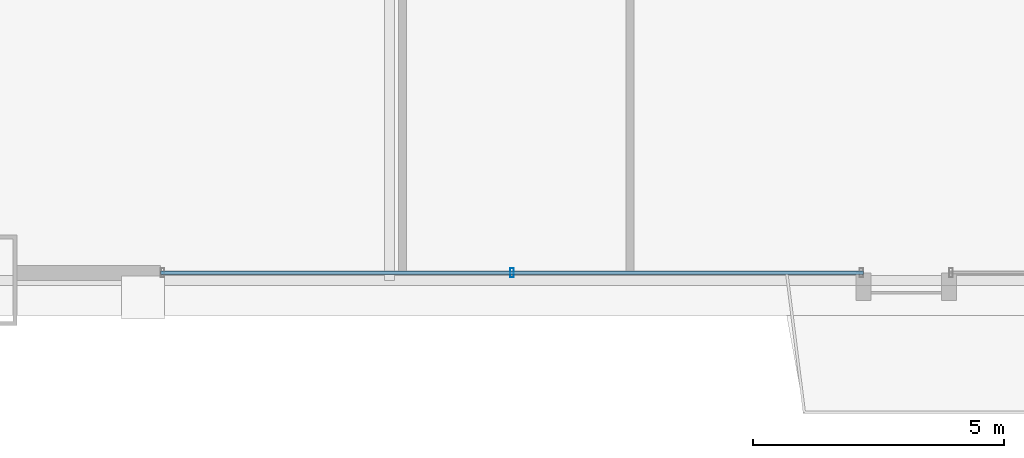
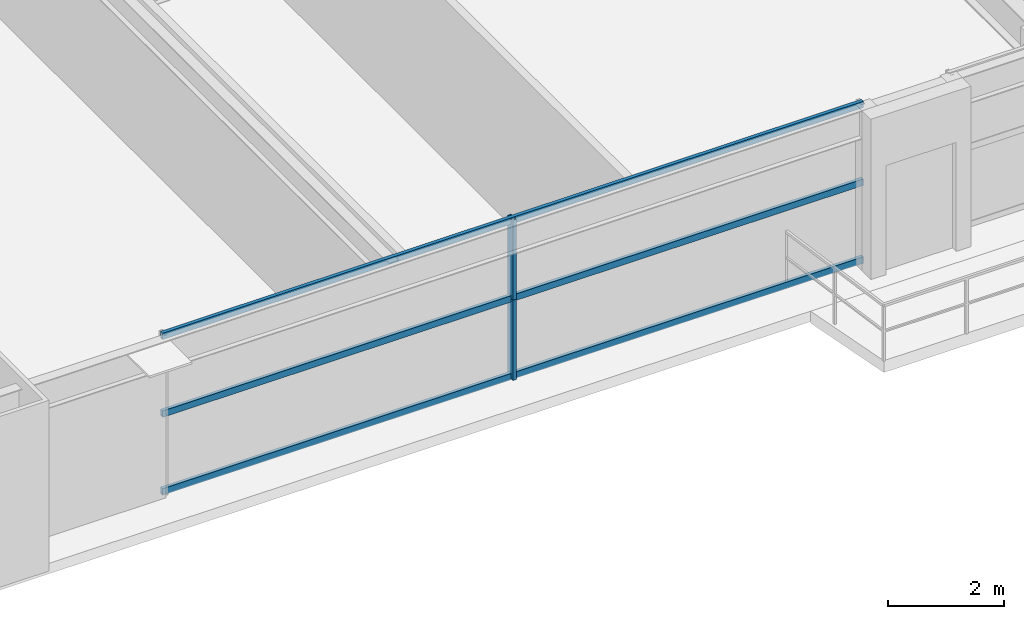
# One storey, part 5 of 43: 5 members, 1 element without a shape of its own.
"""IFC4 building model written with IfcOpenShell, lengths in metres."""

from ifc_helpers import new_model, si_unit, direction, frame, origin, origin_2d, place, context, subcontext, project, spatial, hollow_rectangle, extrude, source, transform, mapped, material, layer, layer_set, material_profile, profile_set, type_object, element, aggregate, save


model = new_model("IFC4")

# Units and contexts
model_context = context("Model", 3, precision=1e-05, world=origin(), true_north=direction((0.0, 1.0)))
body_context = subcontext(model_context, "Body", "Model", "MODEL_VIEW")
ifc_project = project(units=[si_unit("LENGTHUNIT", "METRE"), si_unit("AREAUNIT", "SQUARE_METRE"), si_unit("VOLUMEUNIT", "CUBIC_METRE"), si_unit("PLANEANGLEUNIT", "RADIAN"), si_unit("MASSUNIT", "GRAM", prefix="KILO"), si_unit("THERMODYNAMICTEMPERATUREUNIT", "KELVIN"), si_unit("POWERUNIT", "WATT")], contexts=[model_context])

# Site, building, storey
site_placement = place(None, origin())
site = spatial("IfcSite", under=ifc_project, at=site_placement, CompositionType="ELEMENT")
building_placement = place(site_placement, origin())
building = spatial("IfcBuilding", under=site, at=building_placement, Name="Yuzanri Waterfront Tower", CompositionType="ELEMENT")
storey_placement = place(building_placement, frame((0.0, 0.0, 71.199951171875)))
storey = spatial("IfcBuildingStorey", under=building, at=storey_placement, Name="L18", CompositionType="ELEMENT", Elevation=71.199951171875)

# Curtain wall, members
ifc_material_1 = material(Name="Anodized Architectural Bronze", Category="metal")
ifc_layer = layer(ifc_material_1, 0.159912109375)
ifc_layer_set = layer_set([ifc_layer], Name="Anodized Architectural Bronze")
curtain_wall_type = type_object("IfcCurtainWallType", Name="Anodized Bronze Hotel Lower-Tier Recessed Unitized Curtain Wall 8100", PredefinedType="NOTDEFINED", material=ifc_layer_set)
curtain_wall_placement = place(storey_placement, origin())
curtain_wall = element("IfcCurtainWall", 1, at=curtain_wall_placement, inside=storey, type_object=curtain_wall_type, Name="L18 Curtain Wall CW-L18-SL1", PredefinedType="NOTDEFINED")
ifc_material_2 = material(Name="Anodized Architectural Bronze", Category="metal")
ifc_material_profile_1 = material_profile(ifc_material_2, hollow_rectangle(XDim=0.070068359375, YDim=0.179931640625, WallThickness=0.00390625, at=origin_2d()), Name="CWM 70x180")
ifc_profile_set_1 = profile_set([ifc_material_profile_1], Name="Anodized Architectural Bronze")
member_type_1 = type_object("IfcMemberType", Name="Anodized Bronze Standard Curtain-Wall Mullion 70x180", PredefinedType="MULLION", material=ifc_profile_set_1)
shared_shape_1 = source(origin(), body_context, "Body", "SweptSolid", [
    extrude(hollow_rectangle(XDim=0.070068359375, YDim=0.179931640625, WallThickness=0.00390625, at=origin_2d()), origin(), (0.0, 0.0, 1.0), 1.68798828125),
])
member_1_placement = place(storey_placement, frame((26.237548828125, 0.85009765625, 0.0), z_axis=(0.0, 0.0, 1.0), x_axis=(1.0, 0.0, 0.0)))
member_1 = element("IfcMember", 2, at=member_1_placement, type_object=member_type_1, Name="CW-L18-SL1 Lower Mullion 01", PredefinedType="MULLION", context=body_context, shape_type="MappedRepresentation", body=[
    mapped(shared_shape_1, transform((0.0, 0.0, 0.0), scale=1.0)),
])
member_2_placement = place(storey_placement, frame((26.237548828125, 0.85009765625, 1.692138671875), z_axis=(0.0, 0.0, 1.0), x_axis=(1.0, 0.0, 0.0)))
member_2 = element("IfcMember", 3, at=member_2_placement, type_object=member_type_1, Name="CW-L18-SL1 Upper Mullion 01", PredefinedType="MULLION", context=body_context, shape_type="MappedRepresentation", body=[
    mapped(shared_shape_1, transform((0.0, 0.0, 0.0), scale=1.0)),
])
ifc_material_3 = material(Name="Anodized Architectural Bronze", Category="metal")
ifc_material_profile_2 = material_profile(ifc_material_3, hollow_rectangle(XDim=0.070068359375, YDim=0.135009765625, WallThickness=0.00341796875, at=origin_2d()), Name="CWT 70x135")
ifc_profile_set_2 = profile_set([ifc_material_profile_2], Name="Anodized Architectural Bronze")
member_type_2 = type_object("IfcMemberType", Name="Anodized Bronze Standard Curtain-Wall Transom 70x135", PredefinedType="USERDEFINED", material=ifc_profile_set_2)
shared_shape_2 = source(origin(), body_context, "Body", "SweptSolid", [
    extrude(hollow_rectangle(XDim=0.070068359375, YDim=0.135009765625, WallThickness=0.00341796875, at=origin_2d()), origin(), (0.0, 0.0, 1.0), 13.97509765625),
])
member_3_placement = place(storey_placement, frame((19.25, 0.85009765625, 0.050048828125), z_axis=(1.0, 0.0, 0.0), x_axis=(0.0, 1.0, 0.0)))
member_3 = element("IfcMember", 4, at=member_3_placement, type_object=member_type_2, Name="CW-L18-SL1 Transom 1", ObjectType="TRANSOM", PredefinedType="USERDEFINED", context=body_context, shape_type="MappedRepresentation", body=[
    mapped(shared_shape_2, transform((0.0, 0.0, 0.0), scale=1.0)),
])
member_4_placement = place(storey_placement, frame((19.25, 0.85009765625, 1.68994140625), z_axis=(1.0, 0.0, 0.0), x_axis=(0.0, 1.0, 0.0)))
member_4 = element("IfcMember", 5, at=member_4_placement, type_object=member_type_2, Name="CW-L18-SL1 Transom 2", ObjectType="TRANSOM", PredefinedType="USERDEFINED", context=body_context, shape_type="MappedRepresentation", body=[
    mapped(shared_shape_2, transform((0.0, 0.0, 0.0), scale=1.0)),
])
member_5_placement = place(storey_placement, frame((19.25, 0.85009765625, 3.330078125), z_axis=(1.0, 0.0, 0.0), x_axis=(0.0, 1.0, 0.0)))
member_5 = element("IfcMember", 6, at=member_5_placement, type_object=member_type_2, Name="CW-L18-SL1 Transom 3", ObjectType="TRANSOM", PredefinedType="USERDEFINED", context=body_context, shape_type="MappedRepresentation", body=[
    mapped(shared_shape_2, transform((0.0, 0.0, 0.0), scale=1.0)),
])
aggregate(curtain_wall, [member_1, member_2, member_3, member_4, member_5])

save(model, "model.ifc")
